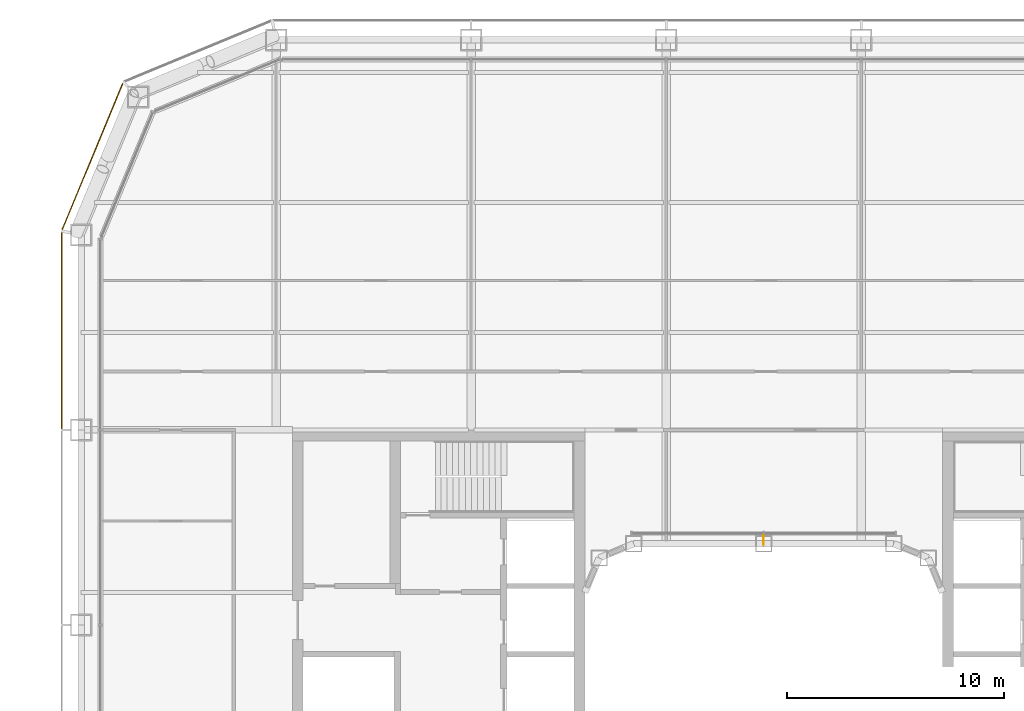
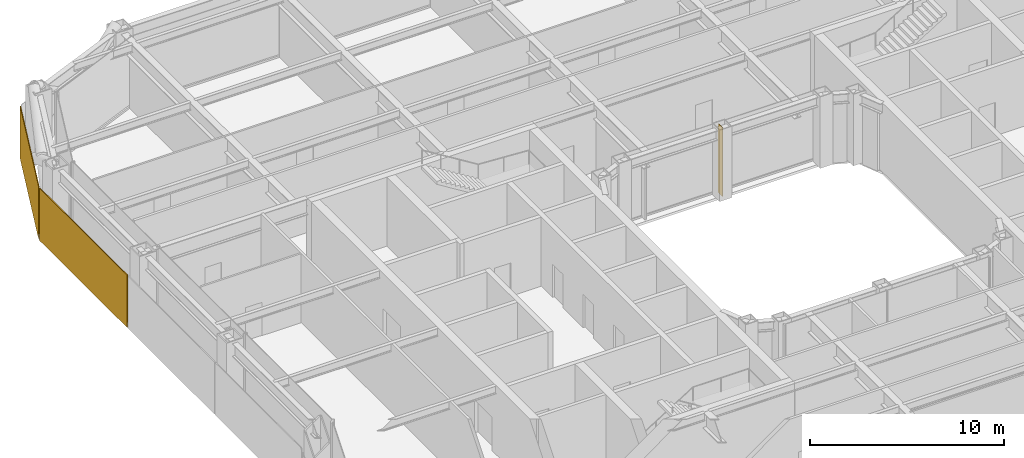
# One storey, part 25 of 27: 2 coverings, 1 shading device.
"""IFC4 building model written with IfcOpenShell, lengths in metres."""

from ifc_helpers import new_model, si_unit, direction, frame, origin, origin_2d, place, context, subcontext, project, spatial, rectangle, extrude, material, layer, layer_set, type_object, element, save


model = new_model("IFC4")

# Units and contexts
model_context = context("Model", 3, precision=1e-05, world=origin(), true_north=direction((0.0, 1.0)))
body_context = subcontext(model_context, "Body", "Model", "MODEL_VIEW")
ifc_project = project(units=[si_unit("LENGTHUNIT", "METRE"), si_unit("AREAUNIT", "SQUARE_METRE"), si_unit("VOLUMEUNIT", "CUBIC_METRE"), si_unit("PLANEANGLEUNIT", "RADIAN"), si_unit("MASSUNIT", "GRAM", prefix="KILO")], contexts=[model_context])

# Site, building, storey
site_placement = place(None, origin())
site = spatial("IfcSite", under=ifc_project, at=site_placement, CompositionType="ELEMENT")
building_placement = place(site_placement, origin())
building = spatial("IfcBuilding", under=site, at=building_placement, Name="Siwar Civic Tower", CompositionType="ELEMENT")
storey_placement = place(building_placement, frame((0.0, 0.0, 71.699951171875)))
storey = spatial("IfcBuildingStorey", under=building, at=storey_placement, Name="L15", CompositionType="ELEMENT", Elevation=71.699951171875)

# Shading device
ifc_material_1 = material(Name="Aluminium 6063-T6", Category="aluminium")
ifc_layer_1 = layer(ifc_material_1, 0.02001953125)
ifc_layer_set_1 = layer_set([ifc_layer_1], Name="Aluminium 6063-T6")
shading_device_type = type_object("IfcShadingDeviceType", Name="ENV-FIN", PredefinedType="JALOUSIE", material=ifc_layer_set_1)
shading_device_placement = place(storey_placement, frame((0.0, 8.419921875, 0.0), z_axis=(0.0, 0.0, 1.0), x_axis=(-1.0, 0.0, 0.0)))
element("IfcShadingDevice", 1, at=shading_device_placement, inside=storey, type_object=shading_device_type, Name="SUNSHADE fin WN 1", PredefinedType="JALOUSIE", context=body_context, shape_type="SweptSolid", body=[
    extrude(rectangle(XDim=0.02001953125, YDim=0.449951171875, at=origin_2d()), origin(), (0.0, 0.0, 1.0), 4.35009765625),
])

# Coverings
ifc_material_2 = material(Name="Perforated aluminium cassette, pale metal", Category="aluminium")
ifc_layer_2 = layer(ifc_material_2, 0.044921875)
ifc_layer_set_2 = layer_set([ifc_layer_2], Name="Perforated aluminium cassette, pale metal")
covering_type_1 = type_object("IfcCoveringType", Name="ENV-OUTER SKIN OS-2", PredefinedType="CLADDING", material=ifc_layer_set_2)
covering_1_placement = place(storey_placement, frame((-30.976318359375, 26.115966796875, -0.14990234375), z_axis=(0.0, 0.0, 1.0), x_axis=(-0.382683432365, -0.923879532511, 0.0)))
element("IfcCovering", 2, at=covering_1_placement, inside=storey, type_object=covering_type_1, Name="OUTER SKIN OS-2 NW2 1", PredefinedType="CLADDING", context=body_context, shape_type="SweptSolid", body=[
    extrude(rectangle(XDim=7.300048828125, YDim=0.044921875, at=origin_2d()), origin(), (0.0, 0.0, 1.0), 3.300048828125),
])
ifc_material_3 = material(Name="Perforated aluminium cassette, pale metal", Category="aluminium")
ifc_layer_3 = layer(ifc_material_3, 0.050048828125)
ifc_layer_set_3 = layer_set([ifc_layer_3], Name="Perforated aluminium cassette, pale metal")
covering_type_2 = type_object("IfcCoveringType", Name="ENV-OUTER SKIN OS-3", PredefinedType="CLADDING", material=ifc_layer_set_3)
covering_2_placement = place(storey_placement, frame((-32.39990234375, 18.07958984375, -0.14990234375), z_axis=(0.0, 0.0, 1.0), x_axis=(0.0, -1.0, 0.0)))
element("IfcCovering", 3, at=covering_2_placement, inside=storey, type_object=covering_type_2, Name="OUTER SKIN OS-3 W 1", PredefinedType="CLADDING", context=body_context, shape_type="SweptSolid", body=[
    extrude(rectangle(XDim=9.05908203125, YDim=0.050048828125, at=origin_2d()), origin(), (0.0, 0.0, 1.0), 3.300048828125),
])

save(model, "model.ifc")
